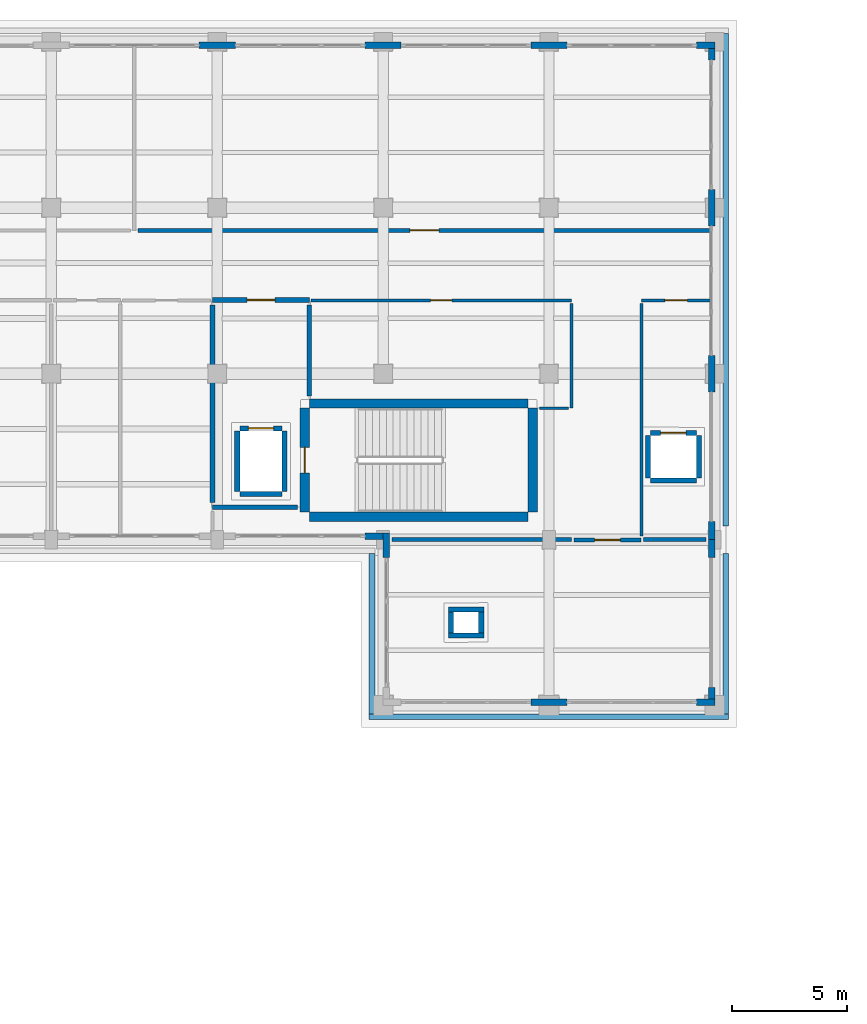
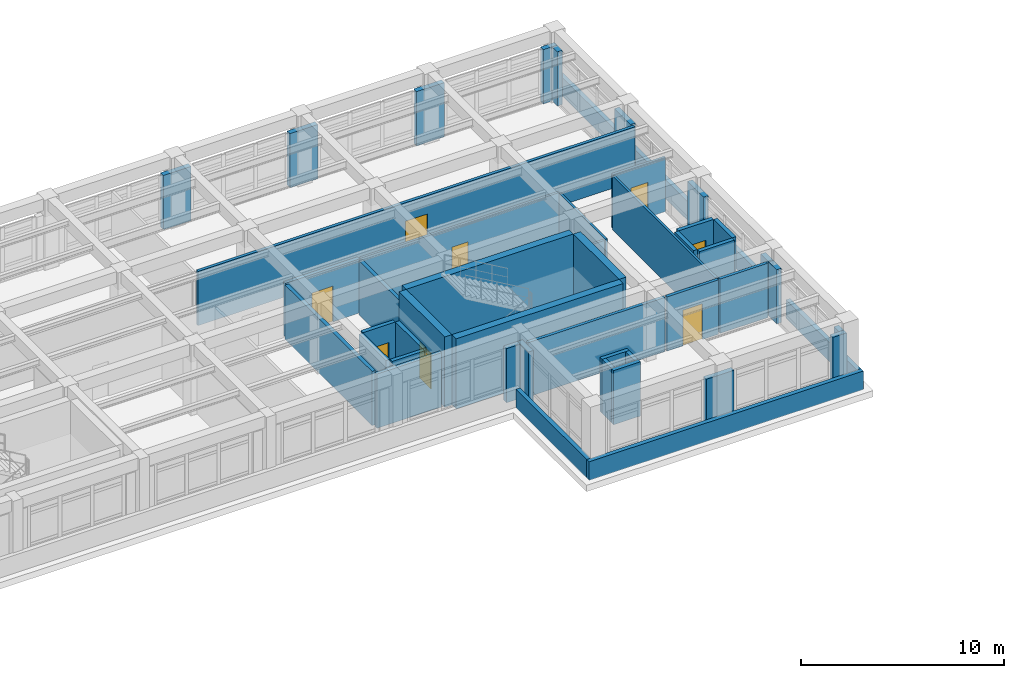
# One storey, part 88 of 98: 47 walls, 8 doors, 8 openings.
"""IFC4 building model written with IfcOpenShell, lengths in metres."""

from ifc_helpers import new_model, si_unit, direction, frame, frame_2d, origin, place, context, subcontext, project, spatial, rectangle, extrude, material, layer, layer_set, type_object, element, fill, save


model = new_model("IFC4")

# Units and contexts
model_context = context("Model", 3, precision=1e-05, world=origin(), true_north=direction((0.0, 1.0)))
body_context = subcontext(model_context, "Body", "Model", "MODEL_VIEW")
ifc_project = project(units=[si_unit("LENGTHUNIT", "METRE"), si_unit("AREAUNIT", "SQUARE_METRE"), si_unit("VOLUMEUNIT", "CUBIC_METRE"), si_unit("PLANEANGLEUNIT", "RADIAN"), si_unit("MASSUNIT", "GRAM", prefix="KILO")], contexts=[model_context])

# Site, building, storey
site_placement = place(None, origin())
site = spatial("IfcSite", under=ifc_project, at=site_placement, CompositionType="ELEMENT")
building_placement = place(site_placement, origin())
building = spatial("IfcBuilding", under=site, at=building_placement, Name="Solenvale Faculty of Natural Sciences", CompositionType="ELEMENT")
storey_placement = place(building_placement, frame((0.0, 0.0, 9.0)))
storey = spatial("IfcBuildingStorey", under=building, at=storey_placement, Name="L02", CompositionType="ELEMENT", Elevation=9.0)

# Walls
ifc_material_1 = material(Name="Precast concrete 40 MPa", Category="concrete")
ifc_layer_1 = layer(ifc_material_1, 0.284912109375)
ifc_layer_set_1 = layer_set([ifc_layer_1], Name="Precast concrete 40 MPa")
wall_type_1 = type_object("IfcWallType", Name="WL-EXT-PRC-285", PredefinedType="STANDARD", material=ifc_layer_set_1)
wall_1_placement = place(storey_placement, frame((143.2119140625, 86.54248046875, 0.0), z_axis=(0.0, 0.0, 1.0), x_axis=(1.0, 0.0, 0.0)))
element("IfcWall", 1, at=wall_1_placement, inside=storey, type_object=wall_type_1, Name="L02 Facade Closure Pier 1.B1-R", PredefinedType="STANDARD", context=body_context, shape_type="SweptSolid", body=[
    extrude(rectangle(XDim=1.576171875, YDim=0.284912109375, at=frame_2d((0.7880859375, 0.0))), origin(), (0.0, 0.0, 1.0), 3.260009765625),
])
wall_2_placement = place(storey_placement, frame((150.412109375, 86.54248046875, 0.0), z_axis=(0.0, 0.0, 1.0), x_axis=(1.0, 0.0, 0.0)))
element("IfcWall", 2, at=wall_2_placement, inside=storey, type_object=wall_type_1, Name="L02 Facade Closure Pier 1.B2-R", PredefinedType="STANDARD", context=body_context, shape_type="SweptSolid", body=[
    extrude(rectangle(XDim=0.787841796875, YDim=0.284912109375, at=frame_2d((0.39404296875, 0.0))), origin(), (0.0, 0.0, 1.0), 3.260009765625),
])
wall_3_placement = place(storey_placement, frame((151.0576171875, 86.68505859375, 0.0), z_axis=(0.0, 0.0, 1.0), x_axis=(0.0, 1.0, 0.0)))
element("IfcWall", 3, at=wall_3_placement, inside=storey, type_object=wall_type_1, Name="L02 Facade Closure Pier 2.B1-L", PredefinedType="STANDARD", context=body_context, shape_type="SweptSolid", body=[
    extrude(rectangle(XDim=0.5029296875, YDim=0.284912109375, at=frame_2d((0.25146484375, 0.0))), origin(), (0.0, 0.0, 1.0), 3.260009765625),
])
wall_4_placement = place(storey_placement, frame((151.0576171875, 92.81201171875, 0.0), z_axis=(0.0, 0.0, 1.0), x_axis=(0.0, 1.0, 0.0)))
element("IfcWall", 4, at=wall_4_placement, inside=storey, type_object=wall_type_1, Name="L02 Facade Closure Pier 2.B1-R", PredefinedType="STANDARD", context=body_context, shape_type="SweptSolid", body=[
    extrude(rectangle(XDim=0.7880859375, YDim=0.284912109375, at=frame_2d((0.39404296875, 0.0))), origin(), (0.0, 0.0, 1.0), 3.260009765625),
])
wall_5_placement = place(storey_placement, frame((151.0576171875, 93.60009765625, 0.0), z_axis=(0.0, 0.0, 1.0), x_axis=(0.0, 1.0, 0.0)))
element("IfcWall", 5, at=wall_5_placement, inside=storey, type_object=wall_type_1, Name="L02 Facade Closure Pier 3.B1-L", PredefinedType="STANDARD", context=body_context, shape_type="SweptSolid", body=[
    extrude(rectangle(XDim=0.787841796875, YDim=0.284912109375, at=frame_2d((0.39404296875, 0.0))), origin(), (0.0, 0.0, 1.0), 3.260009765625),
])
wall_6_placement = place(storey_placement, frame((151.0576171875, 100.011962890625, 0.0), z_axis=(0.0, 0.0, 1.0), x_axis=(0.0, 1.0, 0.0)))
element("IfcWall", 6, at=wall_6_placement, inside=storey, type_object=wall_type_1, Name="L02 Facade Closure Pier 3.B1-R", PredefinedType="STANDARD", context=body_context, shape_type="SweptSolid", body=[
    extrude(rectangle(XDim=1.575927734375, YDim=0.284912109375, at=frame_2d((0.7880859375, 0.0))), origin(), (0.0, 0.0, 1.0), 3.260009765625),
])
wall_7_placement = place(storey_placement, frame((151.0576171875, 107.2119140625, 0.0), z_axis=(0.0, 0.0, 1.0), x_axis=(0.0, 1.0, 0.0)))
element("IfcWall", 7, at=wall_7_placement, inside=storey, type_object=wall_type_1, Name="L02 Facade Closure Pier 3.B2-R", PredefinedType="STANDARD", context=body_context, shape_type="SweptSolid", body=[
    extrude(rectangle(XDim=1.576171875, YDim=0.284912109375, at=frame_2d((0.7880859375, 0.0))), origin(), (0.0, 0.0, 1.0), 3.260009765625),
])
wall_8_placement = place(storey_placement, frame((151.0576171875, 114.412109375, 0.0), z_axis=(0.0, 0.0, 1.0), x_axis=(0.0, 1.0, 0.0)))
element("IfcWall", 8, at=wall_8_placement, inside=storey, type_object=wall_type_1, Name="L02 Facade Closure Pier 3.B3-R", PredefinedType="STANDARD", context=body_context, shape_type="SweptSolid", body=[
    extrude(rectangle(XDim=0.5029296875, YDim=0.284912109375, at=frame_2d((0.25146484375, 0.0))), origin(), (0.0, 0.0, 1.0), 3.260009765625),
])
wall_9_placement = place(storey_placement, frame((151.199951171875, 115.0576171875, 0.0), z_axis=(0.0, 0.0, 1.0), x_axis=(-1.0, 0.0, 0.0)))
element("IfcWall", 9, at=wall_9_placement, inside=storey, type_object=wall_type_1, Name="L02 Facade Closure Pier 4.B1-L", PredefinedType="STANDARD", context=body_context, shape_type="SweptSolid", body=[
    extrude(rectangle(XDim=0.787841796875, YDim=0.284912109375, at=frame_2d((0.39404296875, 0.0))), origin(), (0.0, 0.0, 1.0), 3.260009765625),
])
wall_10_placement = place(storey_placement, frame((144.7880859375, 115.0576171875, 0.0), z_axis=(0.0, 0.0, 1.0), x_axis=(-1.0, 0.0, 0.0)))
element("IfcWall", 10, at=wall_10_placement, inside=storey, type_object=wall_type_1, Name="L02 Facade Closure Pier 4.B1-R", PredefinedType="STANDARD", context=body_context, shape_type="SweptSolid", body=[
    extrude(rectangle(XDim=1.576171875, YDim=0.284912109375, at=frame_2d((0.7880859375, 0.0))), origin(), (0.0, 0.0, 1.0), 3.260009765625),
])
for number, where, z_axis, x_axis, name in (
    (11, (137.587890625, 115.0576171875, 0.0), (0.0, 0.0, 1.0), (-1.0, 0.0, 0.0), "L02 Facade Closure Pier 4.B2-R"),
    (12, (130.387939453125, 115.0576171875, 0.0), (0.0, 0.0, 1.0), (-1.0, 0.0, 0.0), "L02 Facade Closure Pier 4.B3-R"),
):
    element("IfcWall", number, at=place(storey_placement, frame(where, z_axis=z_axis, x_axis=x_axis)), inside=storey, type_object=wall_type_1, Name=name, PredefinedType="STANDARD", context=body_context, shape_type="SweptSolid", body=[
        extrude(rectangle(XDim=1.575927734375, YDim=0.284912109375, at=frame_2d((0.7880859375, 0.0))), origin(), (0.0, 0.0, 1.0), 3.260009765625),
    ])
wall_11_placement = place(storey_placement, frame((136.011962890625, 93.742431640625, 0.0), z_axis=(0.0, 0.0, 1.0), x_axis=(1.0, 0.0, 0.0)))
element("IfcWall", 13, at=wall_11_placement, inside=storey, type_object=wall_type_1, Name="L02 Facade Closure Pier 6.B8-R", PredefinedType="STANDARD", context=body_context, shape_type="SweptSolid", body=[
    extrude(rectangle(XDim=0.7880859375, YDim=0.284912109375, at=frame_2d((0.39404296875, 0.0))), origin(), (0.0, 0.0, 1.0), 3.260009765625),
])
wall_12_placement = place(storey_placement, frame((136.9423828125, 93.885009765625, 0.0), z_axis=(0.0, 0.0, 1.0), x_axis=(0.0, -1.0, 0.0)))
element("IfcWall", 14, at=wall_12_placement, inside=storey, type_object=wall_type_1, Name="L02 Facade Closure Pier 7.B1-L", PredefinedType="STANDARD", context=body_context, shape_type="SweptSolid", body=[
    extrude(rectangle(XDim=1.072998046875, YDim=0.284912109375, at=frame_2d((0.53662109375, 0.0))), origin(), (0.0, 0.0, 1.0), 3.260009765625),
])

# Wall, opening, door
ifc_material_2 = material(Name="Gypsum fire-rated shaftwall")
ifc_layer_2 = layer(ifc_material_2, 0.205078125)
ifc_layer_set_2 = layer_set([ifc_layer_2], Name="Gypsum fire-rated shaftwall")
wall_type_2 = type_object("IfcWallType", Name="WL-FFL-205", PredefinedType="PARTITIONING", material=ifc_layer_set_2)
wall_13_placement = place(storey_placement, frame((129.39990234375, 104.0, 0.0), z_axis=(0.0, 0.0, 1.0), x_axis=(1.0, 0.0, 0.0)))
wall_13 = element("IfcWall", 15, at=wall_13_placement, inside=storey, type_object=wall_type_2, Name="L02 Firefighting Lobby C5 Partition 1", PredefinedType="PARTITIONING", context=body_context, shape_type="SweptSolid", body=[
    extrude(rectangle(XDim=4.2001953125, YDim=0.205078125, at=frame_2d((2.10009765625, 0.0))), origin(), (0.0, 0.0, 1.0), 3.260009765625),
])
opening_1_placement = place(wall_13_placement, frame((1.5, 0.0, 0.0)))
opening_1 = element("IfcOpeningElement", 16, at=opening_1_placement, cuts=wall_13, Name="Opening D-L02-02", PredefinedType="OPENING", context=body_context, shape_type="SweptSolid", body=[
    extrude(rectangle(XDim=1.199951171875, YDim=2.14990234375, at=frame_2d((0.60009765625, 1.074951171875))), frame((0.0, 0.112548828125, 0.0), z_axis=(0.0, -1.0, 0.0), x_axis=(1.0, 0.0, 0.0)), (0.0, 0.0, 1.0), 0.22509765625),
])
ifc_material_3 = material(Name="Galvanised steel S355", Category="steel")
door_type_1 = type_object("IfcDoorType", Name="DR-FFL-1200x2150", OperationType="NOTDEFINED", PredefinedType="DOOR", material=ifc_material_3)
door_1_placement = place(opening_1_placement, origin())
door_1 = element("IfcDoor", 17, at=door_1_placement, inside=storey, type_object=door_type_1, Name="L02 Firefighting Lobby C5 Door", OperationType="SINGLE_SWING_LEFT", OverallHeight=2.14990234375, OverallWidth=1.199951171875, PredefinedType="DOOR", context=body_context, shape_type="SweptSolid", body=[
    extrude(rectangle(XDim=1.199951171875, YDim=2.14990234375, at=frame_2d((0.60009765625, 1.074951171875))), frame((0.0, 0.02490234375, 0.0), z_axis=(0.0, -1.0, 0.0), x_axis=(1.0, 0.0, 0.0)), (0.0, 0.0, 1.0), 0.050048828125),
])
fill(opening_1, door_1)

# Walls
wall_14_placement = place(storey_placement, frame((133.60009765625, 103.782958984375, 0.0), z_axis=(0.0, 0.0, 1.0), x_axis=(0.0, -1.0, 0.0)))
element("IfcWall", 18, at=wall_14_placement, inside=storey, type_object=wall_type_2, Name="L02 Firefighting Lobby C5 Partition 2", PredefinedType="PARTITIONING", context=body_context, shape_type="SweptSolid", body=[
    extrude(rectangle(XDim=3.9580078125, YDim=0.205078125, at=frame_2d((1.97900390625, 0.0))), origin(), (0.0, 0.0, 1.0), 3.260009765625),
])
wall_15_placement = place(storey_placement, frame((133.075927734375, 95.0, 0.0), z_axis=(0.0, 0.0, 1.0), x_axis=(-1.0, 0.0, 0.0)))
element("IfcWall", 19, at=wall_15_placement, inside=storey, type_object=wall_type_2, Name="L02 Firefighting Lobby C5 Partition 20", PredefinedType="PARTITIONING", context=body_context, shape_type="SweptSolid", body=[
    extrude(rectangle(XDim=3.676025390625, YDim=0.205078125, at=frame_2d((1.837890625, 0.0))), origin(), (0.0, 0.0, 1.0), 3.260009765625),
])
wall_16_placement = place(storey_placement, frame((129.39990234375, 95.217041015625, 0.0), z_axis=(0.0, 0.0, 1.0), x_axis=(0.0, 1.0, 0.0)))
element("IfcWall", 20, at=wall_16_placement, inside=storey, type_object=wall_type_2, Name="L02 Firefighting Lobby C5 Partition 21", PredefinedType="PARTITIONING", context=body_context, shape_type="SweptSolid", body=[
    extrude(rectangle(XDim=8.56591796875, YDim=0.205078125, at=frame_2d((4.282958984375, 0.0))), origin(), (0.0, 0.0, 1.0), 3.260009765625),
])

# Wall, opening, door
ifc_material_4 = material(Name="Gypsum fire-rated laboratory partition")
ifc_layer_3 = layer(ifc_material_4, 0.175048828125)
ifc_layer_set_3 = layer_set([ifc_layer_3], Name="Gypsum fire-rated laboratory partition")
wall_type_3 = type_object("IfcWallType", Name="WL-LAB-175", PredefinedType="PARTITIONING", material=ifc_layer_set_3)
wall_17_placement = place(storey_placement, frame((151.01806640625, 107.02001953125, 0.0), z_axis=(0.0, 0.0, 1.0), x_axis=(-1.0, 0.0, 0.0)))
wall_17 = element("IfcWall", 21, at=wall_17_placement, inside=storey, type_object=wall_type_3, Name="L02 Optics and Photonics Research Laboratory Partition 4", PredefinedType="PARTITIONING", context=body_context, shape_type="SweptSolid", body=[
    extrude(rectangle(XDim=24.84912109375, YDim=0.175048828125, at=frame_2d((12.424560546875, 0.0))), origin(), (0.0, 0.0, 1.0), 3.260009765625),
])
opening_2_placement = place(wall_17_placement, frame((11.800048828125, 0.0, 0.0)))
opening_2 = element("IfcOpeningElement", 22, at=opening_2_placement, cuts=wall_17, Name="Opening D-L02-16", PredefinedType="OPENING", context=body_context, shape_type="SweptSolid", body=[
    extrude(rectangle(XDim=1.25, YDim=2.14990234375, at=frame_2d((0.625, 1.074951171875))), frame((0.0, 0.097412109375, 0.0), z_axis=(0.0, -1.0, 0.0), x_axis=(1.0, 0.0, 0.0)), (0.0, 0.0, 1.0), 0.195068359375),
])
ifc_material_5 = material(Name="Oak acoustic timber leaf", Category="wood")
door_type_2 = type_object("IfcDoorType", Name="DR-LAB-1250x2150", OperationType="NOTDEFINED", PredefinedType="DOOR", material=ifc_material_5)
door_2_placement = place(opening_2_placement, origin())
door_2 = element("IfcDoor", 23, at=door_2_placement, inside=storey, type_object=door_type_2, Name="L02 Optics and Photonics Research Laboratory Door", OperationType="SINGLE_SWING_LEFT", OverallHeight=2.14990234375, OverallWidth=1.25, PredefinedType="DOOR", context=body_context, shape_type="SweptSolid", body=[
    extrude(rectangle(XDim=1.25, YDim=2.14990234375, at=frame_2d((0.625, 1.074951171875))), frame((0.0, 0.02490234375, 0.0), z_axis=(0.0, -1.0, 0.0), x_axis=(1.0, 0.0, 0.0)), (0.0, 0.0, 1.0), 0.050048828125),
])
fill(opening_2, door_2)

ifc_material_6 = material(Name="Acoustic stud gypsum partition")
ifc_layer_4 = layer(ifc_material_6, 0.125)
ifc_layer_set_4 = layer_set([ifc_layer_4], Name="Acoustic stud gypsum partition")
wall_type_4 = type_object("IfcWallType", Name="WL-OFF-125", PredefinedType="PARTITIONING", material=ifc_layer_set_4)
wall_18_placement = place(storey_placement, frame((133.674072265625, 103.97998046875, 0.0), z_axis=(0.0, 0.0, 1.0), x_axis=(1.0, 0.0, 0.0)))
wall_18 = element("IfcWall", 24, at=wall_18_placement, inside=storey, type_object=wall_type_4, Name="L02 Building Electrical and Telecom Closet Partition 18", PredefinedType="PARTITIONING", context=body_context, shape_type="SweptSolid", body=[
    extrude(rectangle(XDim=11.305908203125, YDim=0.125, at=frame_2d((5.65283203125, 0.0))), origin(), (0.0, 0.0, 1.0), 3.260009765625),
])
opening_3_placement = place(wall_18_placement, frame((5.193115234375, 0.0, 0.0)))
opening_3 = element("IfcOpeningElement", 25, at=opening_3_placement, cuts=wall_18, Name="Opening D-L02-20", PredefinedType="OPENING", context=body_context, shape_type="SweptSolid", body=[
    extrude(rectangle(XDim=0.919921875, YDim=2.10009765625, at=frame_2d((0.4599609375, 1.050048828125))), frame((0.0, 0.072509765625, 0.0), z_axis=(0.0, -1.0, 0.0), x_axis=(1.0, 0.0, 0.0)), (0.0, 0.0, 1.0), 0.14501953125),
])
door_type_3 = type_object("IfcDoorType", Name="DR-OFF-0920x2100", OperationType="NOTDEFINED", PredefinedType="DOOR", material=ifc_material_5)
door_3_placement = place(opening_3_placement, origin())
door_3 = element("IfcDoor", 26, at=door_3_placement, inside=storey, type_object=door_type_3, Name="L02 Building Electrical and Telecom Closet Door", OperationType="SINGLE_SWING_LEFT", OverallHeight=2.10009765625, OverallWidth=0.919921875, PredefinedType="DOOR", context=body_context, shape_type="SweptSolid", body=[
    extrude(rectangle(XDim=0.919921875, YDim=2.10009765625, at=frame_2d((0.4599609375, 1.050048828125))), frame((0.0, 0.02490234375, 0.0), z_axis=(0.0, -1.0, 0.0), x_axis=(1.0, 0.0, 0.0)), (0.0, 0.0, 1.0), 0.050048828125),
])
fill(opening_3, door_3)

# Walls
wall_19_placement = place(storey_placement, frame((144.97998046875, 103.843017578125, 0.0), z_axis=(0.0, 0.0, 1.0), x_axis=(0.0, -1.0, 0.0)))
element("IfcWall", 27, at=wall_19_placement, inside=storey, type_object=wall_type_4, Name="L02 Building Electrical and Telecom Closet Partition 19", PredefinedType="PARTITIONING", context=body_context, shape_type="SweptSolid", body=[
    extrude(rectangle(XDim=4.54296875, YDim=0.125, at=frame_2d((2.271484375, 0.0))), origin(), (0.0, 0.0, 1.0), 3.260009765625),
])
wall_20_placement = place(storey_placement, frame((144.843017578125, 99.300048828125, 0.0), z_axis=(0.0, 0.0, 1.0), x_axis=(-1.0, 0.0, 0.0)))
element("IfcWall", 28, at=wall_20_placement, inside=storey, type_object=wall_type_4, Name="L02 Building Electrical and Telecom Closet Partition 20", PredefinedType="PARTITIONING", context=body_context, shape_type="SweptSolid", body=[
    extrude(rectangle(XDim=1.258056640625, YDim=0.125, at=frame_2d((0.62890625, 0.0))), origin(), (0.0, 0.0, 1.0), 3.260009765625),
])

# Wall, opening, door
ifc_layer_5 = layer(ifc_material_6, 0.132080078125)
ifc_layer_set_5 = layer_set([ifc_layer_5], Name="Acoustic stud gypsum partition")
wall_type_5 = type_object("IfcWallType", Name="WL-OFF-132", PredefinedType="PARTITIONING", material=ifc_layer_set_5)
wall_21_placement = place(storey_placement, frame((148.02001953125, 103.97998046875, 0.0), z_axis=(0.0, 0.0, 1.0), x_axis=(1.0, 0.0, 0.0)))
wall_21 = element("IfcWall", 29, at=wall_21_placement, inside=storey, type_object=wall_type_5, Name="L02 Elevator Lobby Partition 1", PredefinedType="PARTITIONING", context=body_context, shape_type="SweptSolid", body=[
    extrude(rectangle(XDim=2.998046875, YDim=0.132080078125, at=frame_2d((1.4990234375, 0.0))), origin(), (0.0, 0.0, 1.0), 3.260009765625),
])
opening_4_placement = place(wall_21_placement, frame((1.009033203125, 0.0, 0.0)))
opening_4 = element("IfcOpeningElement", 30, at=opening_4_placement, cuts=wall_21, Name="Opening D-L02-21", PredefinedType="OPENING", context=body_context, shape_type="SweptSolid", body=[
    extrude(rectangle(XDim=0.97998046875, YDim=2.10009765625, at=frame_2d((0.489990234375, 1.050048828125))), frame((0.0, 0.075927734375, 0.0), z_axis=(0.0, -1.0, 0.0), x_axis=(1.0, 0.0, 0.0)), (0.0, 0.0, 1.0), 0.152099609375),
])
door_type_4 = type_object("IfcDoorType", Name="DR-OFF-0980x2100", OperationType="NOTDEFINED", PredefinedType="DOOR", material=ifc_material_5)
door_4_placement = place(opening_4_placement, origin())
door_4 = element("IfcDoor", 31, at=door_4_placement, inside=storey, type_object=door_type_4, Name="L02 Elevator Lobby Door", OperationType="SINGLE_SWING_RIGHT", OverallHeight=2.10009765625, OverallWidth=0.97998046875, PredefinedType="DOOR", context=body_context, shape_type="SweptSolid", body=[
    extrude(rectangle(XDim=0.97998046875, YDim=2.10009765625, at=frame_2d((0.489990234375, 1.050048828125))), frame((0.0, 0.02490234375, 0.0), z_axis=(0.0, -1.0, 0.0), x_axis=(1.0, 0.0, 0.0)), (0.0, 0.0, 1.0), 0.050048828125),
])
fill(opening_4, door_4)

# Walls
wall_22_placement = place(storey_placement, frame((148.02001953125, 93.7451171875, 0.0), z_axis=(0.0, 0.0, 1.0), x_axis=(0.0, 1.0, 0.0)))
element("IfcWall", 32, at=wall_22_placement, inside=storey, type_object=wall_type_5, Name="L02 Elevator Lobby Partition 4", PredefinedType="PARTITIONING", context=body_context, shape_type="SweptSolid", body=[
    extrude(rectangle(XDim=10.0908203125, YDim=0.132080078125, at=frame_2d((5.04541015625, 0.0))), origin(), (0.0, 0.0, 1.0), 3.260009765625),
])
ifc_material_7 = material(Name="Architectural bronze concrete 40 MPa", Category="concrete")
ifc_layer_6 = layer(ifc_material_7, 0.239990234375)
ifc_layer_set_6 = layer_set([ifc_layer_6], Name="Architectural bronze concrete 40 MPa")
wall_type_6 = type_object("IfcWallType", Name="WL-PAR-BRZ-240", PredefinedType="PARAPET", material=ifc_layer_set_6)
wall_23_placement = place(storey_placement, frame((151.679931640625, 115.56005859375, 0.0), z_axis=(0.0, 0.0, 1.0), x_axis=(0.0, -1.0, 0.0)))
element("IfcWall", 33, at=wall_23_placement, inside=storey, type_object=wall_type_6, Name="L02 Tower Horizontal Concrete Band 10", PredefinedType="PARAPET", context=body_context, shape_type="SweptSolid", body=[
    extrude(rectangle(XDim=21.360107421875, YDim=0.239990234375, at=frame_2d((10.68017578125, 0.0))), origin(), (0.0, 0.0, 1.0), 1.1201171875),
])
wall_24_placement = place(storey_placement, frame((151.679931640625, 93.0, 0.0), z_axis=(0.0, 0.0, 1.0), x_axis=(0.0, -1.0, 0.0)))
element("IfcWall", 34, at=wall_24_placement, inside=storey, type_object=wall_type_6, Name="L02 Tower Horizontal Concrete Band 11", PredefinedType="PARAPET", context=body_context, shape_type="SweptSolid", body=[
    extrude(rectangle(XDim=6.9599609375, YDim=0.239990234375, at=frame_2d((3.47998046875, 0.0))), origin(), (0.0, 0.0, 1.0), 1.1201171875),
])
wall_25_placement = place(storey_placement, frame((151.800048828125, 85.919921875, 0.0), z_axis=(0.0, 0.0, 1.0), x_axis=(-1.0, 0.0, 0.0)))
element("IfcWall", 35, at=wall_25_placement, inside=storey, type_object=wall_type_6, Name="L02 Tower Horizontal Concrete Band 12", PredefinedType="PARAPET", context=body_context, shape_type="SweptSolid", body=[
    extrude(rectangle(XDim=15.60009765625, YDim=0.239990234375, at=frame_2d((7.800048828125, 0.0))), origin(), (0.0, 0.0, 1.0), 1.1201171875),
])
wall_26_placement = place(storey_placement, frame((136.320068359375, 86.0400390625, 0.0), z_axis=(0.0, 0.0, 1.0), x_axis=(0.0, 1.0, 0.0)))
element("IfcWall", 36, at=wall_26_placement, inside=storey, type_object=wall_type_6, Name="L02 Tower Horizontal Concrete Band 13", PredefinedType="PARAPET", context=body_context, shape_type="SweptSolid", body=[
    extrude(rectangle(XDim=6.9599609375, YDim=0.239990234375, at=frame_2d((3.47998046875, 0.0))), origin(), (0.0, 0.0, 1.0), 1.1201171875),
])
ifc_material_8 = material(Name="Acoustic double-stud gypsum partition")
ifc_layer_7 = layer(ifc_material_8, 0.179931640625)
ifc_layer_set_7 = layer_set([ifc_layer_7], Name="Acoustic double-stud gypsum partition")
wall_type_7 = type_object("IfcWallType", Name="WL-SEM-180", PredefinedType="PARTITIONING", material=ifc_layer_set_7)
wall_27_placement = place(storey_placement, frame((137.18701171875, 93.60009765625, 0.0), z_axis=(0.0, 0.0, 1.0), x_axis=(1.0, 0.0, 0.0)))
element("IfcWall", 37, at=wall_27_placement, inside=storey, type_object=wall_type_7, Name="L02 Seminar Room Partition 3", PredefinedType="PARTITIONING", context=body_context, shape_type="SweptSolid", body=[
    extrude(rectangle(XDim=7.79296875, YDim=0.179931640625, at=frame_2d((3.896484375, 0.0))), origin(), (0.0, 0.0, 1.0), 3.260009765625),
])

# Wall, opening, door
wall_28_placement = place(storey_placement, frame((145.08203125, 93.580078125, 0.0), z_axis=(0.0, 0.0, 1.0), x_axis=(1.0, 0.0, 0.0)))
wall_28 = element("IfcWall", 38, at=wall_28_placement, inside=storey, type_object=wall_type_7, Name="L02 Seminar Room Partition 20", PredefinedType="PARTITIONING", context=body_context, shape_type="SweptSolid", body=[
    extrude(rectangle(XDim=2.91796875, YDim=0.179931640625, at=frame_2d((1.458984375, 0.0))), origin(), (0.0, 0.0, 1.0), 3.260009765625),
])
opening_5_placement = place(wall_28_placement, frame((0.89892578125, 0.0, 0.0)))
opening_5 = element("IfcOpeningElement", 39, at=opening_5_placement, cuts=wall_28, Name="Opening D-L02-10", PredefinedType="OPENING", context=body_context, shape_type="SweptSolid", body=[
    extrude(rectangle(XDim=1.1201171875, YDim=2.14990234375, at=frame_2d((0.56005859375, 1.074951171875))), frame((0.0, 0.099853515625, 0.0), z_axis=(0.0, -1.0, 0.0), x_axis=(1.0, 0.0, 0.0)), (0.0, 0.0, 1.0), 0.199951171875),
])
door_type_5 = type_object("IfcDoorType", Name="DR-SEM-1120x2150", OperationType="NOTDEFINED", PredefinedType="DOOR", material=ifc_material_5)
door_5_placement = place(opening_5_placement, origin())
door_5 = element("IfcDoor", 40, at=door_5_placement, inside=storey, type_object=door_type_5, Name="L02 Seminar Room Door", OperationType="SINGLE_SWING_LEFT", OverallHeight=2.14990234375, OverallWidth=1.1201171875, PredefinedType="DOOR", context=body_context, shape_type="SweptSolid", body=[
    extrude(rectangle(XDim=1.1201171875, YDim=2.14990234375, at=frame_2d((0.56005859375, 1.074951171875))), frame((0.0, 0.02490234375, 0.0), z_axis=(0.0, -1.0, 0.0), x_axis=(1.0, 0.0, 0.0)), (0.0, 0.0, 1.0), 0.050048828125),
])
fill(opening_5, door_5)

# Walls
wall_29_placement = place(storey_placement, frame((148.10205078125, 93.60009765625, 0.0), z_axis=(0.0, 0.0, 1.0), x_axis=(1.0, 0.0, 0.0)))
element("IfcWall", 41, at=wall_29_placement, inside=storey, type_object=wall_type_7, Name="L02 Seminar Room Partition 37", PredefinedType="PARTITIONING", context=body_context, shape_type="SweptSolid", body=[
    extrude(rectangle(XDim=2.7109375, YDim=0.179931640625, at=frame_2d((1.35546875, 0.0))), origin(), (0.0, 0.0, 1.0), 3.260009765625),
])
ifc_material_9 = material(Name="Concrete 40 MPa", Category="concrete")
ifc_layer_8 = layer(ifc_material_9, 0.219970703125)
ifc_layer_set_8 = layer_set([ifc_layer_8], Name="Concrete 40 MPa")
wall_type_8 = type_object("IfcWallType", Name="WL-SHF-220", PredefinedType="STANDARD", material=ifc_layer_set_8)
wall_30_placement = place(storey_placement, frame((130.580078125, 95.570068359375, 0.0), z_axis=(0.0, 0.0, 1.0), x_axis=(1.0, 0.0, 0.0)))
element("IfcWall", 42, at=wall_30_placement, inside=storey, type_object=wall_type_8, Name="Elevator LF-02 L02 Shaft Wall S", PredefinedType="STANDARD", context=body_context, shape_type="SweptSolid", body=[
    extrude(rectangle(XDim=1.83984375, YDim=0.219970703125, at=frame_2d((0.919921875, 0.0))), origin(), (0.0, 0.0, 1.0), 3.260009765625),
])

# Wall, opening, door
wall_31_placement = place(storey_placement, frame((130.580078125, 98.429931640625, 0.0), z_axis=(0.0, 0.0, 1.0), x_axis=(1.0, 0.0, 0.0)))
wall_31 = element("IfcWall", 43, at=wall_31_placement, inside=storey, type_object=wall_type_8, Name="Elevator LF-02 L02 Shaft Wall N", PredefinedType="STANDARD", context=body_context, shape_type="SweptSolid", body=[
    extrude(rectangle(XDim=1.83984375, YDim=0.219970703125, at=frame_2d((0.919921875, 0.0))), origin(), (0.0, 0.0, 1.0), 3.260009765625),
])
opening_6_placement = place(wall_31_placement, frame((0.3701171875, 0.0, 0.0)))
opening_6 = element("IfcOpeningElement", 44, at=opening_6_placement, cuts=wall_31, Name="Opening LD-LF-02-L02", PredefinedType="OPENING", context=body_context, shape_type="SweptSolid", body=[
    extrude(rectangle(XDim=1.10009765625, YDim=2.14990234375, at=frame_2d((0.550048828125, 1.074951171875))), frame((0.0, 0.119873046875, 0.0), z_axis=(0.0, -1.0, 0.0), x_axis=(1.0, 0.0, 0.0)), (0.0, 0.0, 1.0), 0.239990234375),
])
ifc_material_10 = material(Name="Stainless steel Grade 304", Category="steel")
door_type_6 = type_object("IfcDoorType", Name="DR-LIFT-1100x2150", OperationType="NOTDEFINED", PredefinedType="DOOR", material=ifc_material_10)
door_6_placement = place(opening_6_placement, origin())
door_6 = element("IfcDoor", 45, at=door_6_placement, inside=storey, type_object=door_type_6, Name="Elevator LF-02 L02 Sliding Landing Door", OperationType="SLIDING_TO_LEFT", OverallHeight=2.14990234375, OverallWidth=1.10009765625, PredefinedType="DOOR", context=body_context, shape_type="SweptSolid", body=[
    extrude(rectangle(XDim=1.10009765625, YDim=2.14990234375, at=frame_2d((0.550048828125, 1.074951171875))), frame((0.0, 0.02490234375, 0.0), z_axis=(0.0, -1.0, 0.0), x_axis=(1.0, 0.0, 0.0)), (0.0, 0.0, 1.0), 0.050048828125),
])
fill(opening_6, door_6)

# Walls
for number, where, z_axis, x_axis, name in (
    (46, (130.469970703125, 95.679931640625, 0.0), (0.0, 0.0, 1.0), (0.0, 1.0, 0.0), "Elevator LF-02 L02 Shaft Wall W"),
    (47, (132.530029296875, 95.679931640625, 0.0), (0.0, 0.0, 1.0), (0.0, 1.0, 0.0), "Elevator LF-02 L02 Shaft Wall E"),
):
    element("IfcWall", number, at=place(storey_placement, frame(where, z_axis=z_axis, x_axis=x_axis)), inside=storey, type_object=wall_type_8, Name=name, PredefinedType="STANDARD", context=body_context, shape_type="SweptSolid", body=[
        extrude(rectangle(XDim=2.64013671875, YDim=0.219970703125, at=frame_2d((1.320068359375, 0.0))), origin(), (0.0, 0.0, 1.0), 3.260009765625),
    ])
wall_32_placement = place(storey_placement, frame((148.405029296875, 96.169921875, 0.0), z_axis=(0.0, 0.0, 1.0), x_axis=(1.0, 0.0, 0.0)))
element("IfcWall", 48, at=wall_32_placement, inside=storey, type_object=wall_type_8, Name="Elevator LP-03 L02 Shaft Wall S", PredefinedType="STANDARD", context=body_context, shape_type="SweptSolid", body=[
    extrude(rectangle(XDim=1.989990234375, YDim=0.219970703125, at=frame_2d((0.9951171875, 0.0))), origin(), (0.0, 0.0, 1.0), 3.260009765625),
])

# Wall, opening, door
wall_33_placement = place(storey_placement, frame((148.405029296875, 98.22998046875, 0.0), z_axis=(0.0, 0.0, 1.0), x_axis=(1.0, 0.0, 0.0)))
wall_33 = element("IfcWall", 49, at=wall_33_placement, inside=storey, type_object=wall_type_8, Name="Elevator LP-03 L02 Shaft Wall N", PredefinedType="STANDARD", context=body_context, shape_type="SweptSolid", body=[
    extrude(rectangle(XDim=1.989990234375, YDim=0.219970703125, at=frame_2d((0.9951171875, 0.0))), origin(), (0.0, 0.0, 1.0), 3.260009765625),
])
opening_7_placement = place(wall_33_placement, frame((0.445068359375, 0.0, 0.0)))
opening_7 = element("IfcOpeningElement", 50, at=opening_7_placement, cuts=wall_33, Name="Opening LD-LP-03-L02", PredefinedType="OPENING", context=body_context, shape_type="SweptSolid", body=[
    extrude(rectangle(XDim=1.10009765625, YDim=2.14990234375, at=frame_2d((0.550048828125, 1.074951171875))), frame((0.0, 0.119873046875, 0.0), z_axis=(0.0, -1.0, 0.0), x_axis=(1.0, 0.0, 0.0)), (0.0, 0.0, 1.0), 0.239990234375),
])
door_7_placement = place(opening_7_placement, origin())
door_7 = element("IfcDoor", 51, at=door_7_placement, inside=storey, type_object=door_type_6, Name="Elevator LP-03 L02 Sliding Landing Door", OperationType="SLIDING_TO_LEFT", OverallHeight=2.14990234375, OverallWidth=1.10009765625, PredefinedType="DOOR", context=body_context, shape_type="SweptSolid", body=[
    extrude(rectangle(XDim=1.10009765625, YDim=2.14990234375, at=frame_2d((0.550048828125, 1.074951171875))), frame((0.0, 0.02490234375, 0.0), z_axis=(0.0, -1.0, 0.0), x_axis=(1.0, 0.0, 0.0)), (0.0, 0.0, 1.0), 0.050048828125),
])
fill(opening_7, door_7)

# Walls
for number, where, z_axis, x_axis, name in (
    (52, (148.294921875, 96.280029296875, 0.0), (0.0, 0.0, 1.0), (0.0, 1.0, 0.0), "Elevator LP-03 L02 Shaft Wall W"),
    (53, (150.5048828125, 96.280029296875, 0.0), (0.0, 0.0, 1.0), (0.0, 1.0, 0.0), "Elevator LP-03 L02 Shaft Wall E"),
):
    element("IfcWall", number, at=place(storey_placement, frame(where, z_axis=z_axis, x_axis=x_axis)), inside=storey, type_object=wall_type_8, Name=name, PredefinedType="STANDARD", context=body_context, shape_type="SweptSolid", body=[
        extrude(rectangle(XDim=1.840087890625, YDim=0.219970703125, at=frame_2d((0.919921875, 0.0))), origin(), (0.0, 0.0, 1.0), 3.260009765625),
    ])
for number, where, z_axis, x_axis, name in (
    (54, (139.6298828125, 89.43994140625, 0.0), (0.0, 0.0, 1.0), (1.0, 0.0, 0.0), "L02 Service Riser Shaft 7 Wall S"),
    (55, (139.6298828125, 90.56005859375, 0.0), (0.0, 0.0, 1.0), (1.0, 0.0, 0.0), "L02 Service Riser Shaft 7 Wall N"),
):
    element("IfcWall", number, at=place(storey_placement, frame(where, z_axis=z_axis, x_axis=x_axis)), inside=storey, type_object=wall_type_8, Name=name, PredefinedType="STANDARD", context=body_context, shape_type="SweptSolid", body=[
        extrude(rectangle(XDim=1.5400390625, YDim=0.219970703125, at=frame_2d((0.77001953125, 0.0))), origin(), (0.0, 0.0, 1.0), 3.260009765625),
    ])
for number, where, z_axis, x_axis, name in (
    (56, (139.739990234375, 89.550048828125, 0.0), (0.0, 0.0, 1.0), (0.0, 1.0, 0.0), "L02 Service Riser Shaft 7 Wall W"),
    (57, (141.06005859375, 89.550048828125, 0.0), (0.0, 0.0, 1.0), (0.0, 1.0, 0.0), "L02 Service Riser Shaft 7 Wall E"),
):
    element("IfcWall", number, at=place(storey_placement, frame(where, z_axis=z_axis, x_axis=x_axis)), inside=storey, type_object=wall_type_8, Name=name, PredefinedType="STANDARD", context=body_context, shape_type="SweptSolid", body=[
        extrude(rectangle(XDim=0.89990234375, YDim=0.219970703125, at=frame_2d((0.449951171875, 0.0))), origin(), (0.0, 0.0, 1.0), 3.260009765625),
    ])
ifc_material_11 = material(Name="Concrete 50 MPa", Category="concrete")
ifc_layer_9 = layer(ifc_material_11, 0.409912109375)
ifc_layer_set_9 = layer_set([ifc_layer_9], Name="Concrete 50 MPa")
wall_type_9 = type_object("IfcWallType", Name="WL-SHR-410", PredefinedType="SHEAR", material=ifc_layer_set_9)
for number, where, z_axis, x_axis, name in (
    (58, (133.60009765625, 94.594970703125, 0.0), (0.0, 0.0, 1.0), (1.0, 0.0, 0.0), "Core C5 L02 Shear Wall S"),
    (59, (133.60009765625, 99.5048828125, 0.0), (0.0, 0.0, 1.0), (1.0, 0.0, 0.0), "Core C5 L02 Shear Wall N"),
):
    element("IfcWall", number, at=place(storey_placement, frame(where, z_axis=z_axis, x_axis=x_axis)), inside=storey, type_object=wall_type_9, Name=name, PredefinedType="SHEAR", context=body_context, shape_type="SweptSolid", body=[
        extrude(rectangle(XDim=9.5, YDim=0.409912109375, at=frame_2d((4.75, 0.0))), origin(), (0.0, 0.0, 1.0), 4.219970703125),
    ])

# Wall, opening, door
wall_34_placement = place(storey_placement, frame((133.39501953125, 94.800048828125, 0.0), z_axis=(0.0, 0.0, 1.0), x_axis=(0.0, 1.0, 0.0)))
wall_34 = element("IfcWall", 60, at=wall_34_placement, inside=storey, type_object=wall_type_9, Name="Core C5 L02 Shear Wall W", PredefinedType="SHEAR", context=body_context, shape_type="SweptSolid", body=[
    extrude(rectangle(XDim=4.5, YDim=0.409912109375, at=frame_2d((2.25, 0.0))), origin(), (0.0, 0.0, 1.0), 4.219970703125),
])
opening_8_placement = place(wall_34_placement, frame((1.699951171875, 0.0, 0.0)))
opening_8 = element("IfcOpeningElement", 61, at=opening_8_placement, cuts=wall_34, Name="Opening DS-C5-L02", PredefinedType="OPENING", context=body_context, shape_type="SweptSolid", body=[
    extrude(rectangle(XDim=1.10009765625, YDim=2.14990234375, at=frame_2d((0.550048828125, 1.074951171875))), frame((0.0, 0.21484375, 0.0), z_axis=(0.0, -1.0, 0.0), x_axis=(1.0, 0.0, 0.0)), (0.0, 0.0, 1.0), 0.429931640625),
])
door_type_7 = type_object("IfcDoorType", Name="DR-STAIR-1100x2150", OperationType="NOTDEFINED", PredefinedType="DOOR", material=ifc_material_3)
door_8_placement = place(opening_8_placement, origin())
door_8 = element("IfcDoor", 62, at=door_8_placement, inside=storey, type_object=door_type_7, Name="L02 Stair ST-05 Fire Door", OperationType="SINGLE_SWING_LEFT", OverallHeight=2.14990234375, OverallWidth=1.10009765625, PredefinedType="DOOR", context=body_context, shape_type="SweptSolid", body=[
    extrude(rectangle(XDim=1.10009765625, YDim=2.14990234375, at=frame_2d((0.550048828125, 1.074951171875))), frame((0.0, 0.02490234375, 0.0), z_axis=(0.0, -1.0, 0.0), x_axis=(1.0, 0.0, 0.0)), (0.0, 0.0, 1.0), 0.050048828125),
])
fill(opening_8, door_8)

# Wall
wall_35_placement = place(storey_placement, frame((143.304931640625, 94.800048828125, 0.0), z_axis=(0.0, 0.0, 1.0), x_axis=(0.0, 1.0, 0.0)))
element("IfcWall", 63, at=wall_35_placement, inside=storey, type_object=wall_type_9, Name="Core C5 L02 Shear Wall E", PredefinedType="SHEAR", context=body_context, shape_type="SweptSolid", body=[
    extrude(rectangle(XDim=4.5, YDim=0.409912109375, at=frame_2d((2.25, 0.0))), origin(), (0.0, 0.0, 1.0), 4.219970703125),
])

save(model, "model.ifc")
